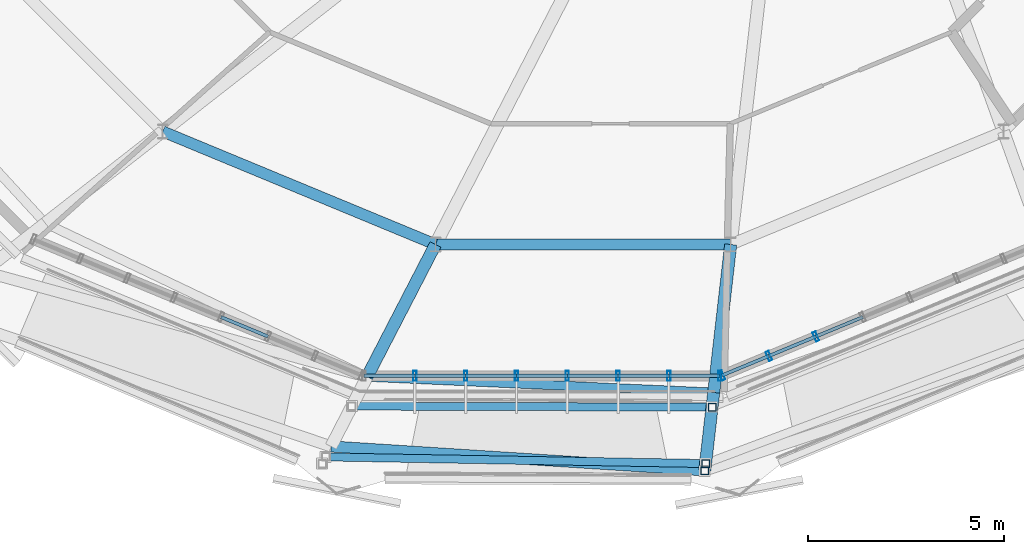
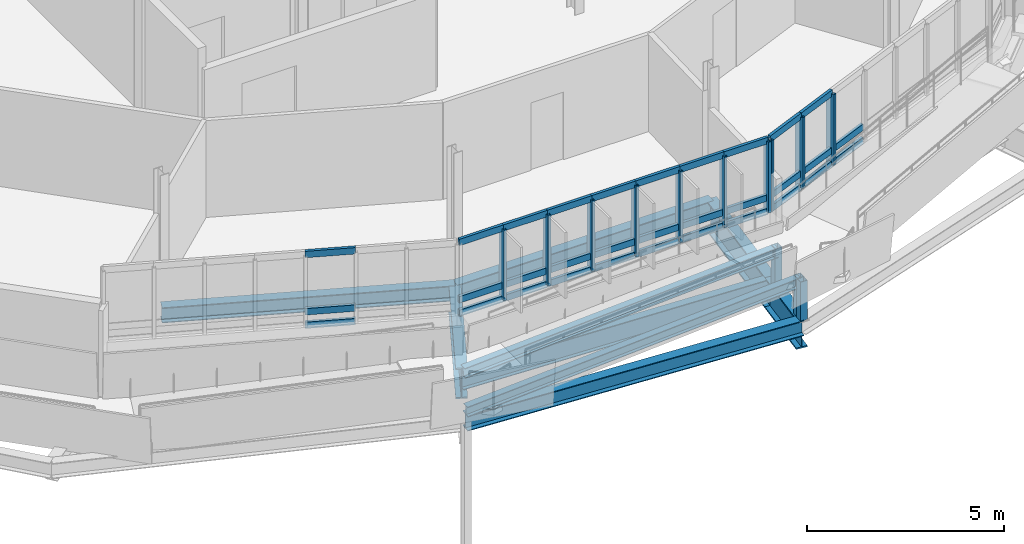
# One storey, part 5 of 38: 45 members, 9 beams, 3 elements without a shape of their own.
"""IFC4 building model written with IfcOpenShell, lengths in metres."""

from ifc_helpers import new_model, si_unit, derived_unit, direction, frame, origin, origin_2d, place, context, subcontext, project, spatial, hollow_rectangle, i_section, extrude, material, layer, layer_set, material_profile, profile_set, type_object, element, aggregate, save


model = new_model("IFC4")

# Units and contexts
model_context = context("Model", 3, precision=1e-05, world=origin(), true_north=direction((0.0, 1.0)))
body_context = subcontext(model_context, "Body", "Model", "MODEL_VIEW")
ifc_project = project(units=[si_unit("LENGTHUNIT", "METRE"), si_unit("AREAUNIT", "SQUARE_METRE"), si_unit("VOLUMEUNIT", "CUBIC_METRE"), si_unit("PLANEANGLEUNIT", "RADIAN"), si_unit("MASSUNIT", "GRAM", prefix="KILO"), derived_unit("THERMALTRANSMITTANCEUNIT", [(si_unit("MASSUNIT", "GRAM", prefix="KILO"), 1), (si_unit("TIMEUNIT", "SECOND"), -3), (si_unit("THERMODYNAMICTEMPERATUREUNIT", "KELVIN"), -1)])], contexts=[model_context])

# Site, building, storey
site_placement = place(None, origin())
site = spatial("IfcSite", under=ifc_project, at=site_placement, CompositionType="ELEMENT")
building_placement = place(site_placement, origin())
building = spatial("IfcBuilding", under=site, at=building_placement, Name="Makaiwela Harbour Ferry Terminal", CompositionType="ELEMENT")
storey_placement = place(building_placement, frame((0.0, 0.0, 17.699951171875)))
storey = spatial("IfcBuildingStorey", under=building, at=storey_placement, Name="L04", CompositionType="ELEMENT", Elevation=17.699951171875)

# Curtain wall, members
ifc_material_1 = material(Name="Marine anodised aluminium 6063-T6", Category="aluminium")
ifc_layer = layer(ifc_material_1, 0.199951171875)
ifc_layer_set = layer_set([ifc_layer], Name="Marine anodised aluminium 6063-T6")
curtain_wall_type = type_object("IfcCurtainWallType", Name="ENV-CW-06", PredefinedType="USERDEFINED", material=ifc_layer_set)
curtain_wall_1_placement = place(storey_placement, origin())
curtain_wall_1 = element("IfcCurtainWall", 1, at=curtain_wall_1_placement, inside=storey, type_object=curtain_wall_type, Name="Unitised Curtain Wall CWA-053", ObjectType="UNITIZED CURTAIN WALL", PredefinedType="USERDEFINED")
ifc_material_profile_1 = material_profile(ifc_material_1, hollow_rectangle(XDim=0.0849609375, YDim=0.25, WallThickness=0.0048828125, at=origin_2d()), Name="CWM-250X85")
ifc_profile_set_1 = profile_set([ifc_material_profile_1], Name="Marine anodised aluminium 6063-T6")
member_type_1 = type_object("IfcMemberType", Name="CW-MUL-250", PredefinedType="MULLION", material=ifc_profile_set_1)
member_1_placement = place(storey_placement, frame((32.810546875, 45.819580078125, 1.47998046875), z_axis=(0.0, 0.0, 1.0), x_axis=(1.0, 0.0, 0.0)))
member_1 = element("IfcMember", 2, at=member_1_placement, type_object=member_type_1, Name="Curtain Wall Mullion CWA-053-2", PredefinedType="MULLION", context=body_context, shape_type="SweptSolid", body=[
    extrude(hollow_rectangle(XDim=0.0849609375, YDim=0.25, WallThickness=0.0048828125, at=origin_2d()), origin(), (0.0, 0.0, 1.0), 2.199951171875),
])
member_2_placement = place(storey_placement, frame((34.1064453125, 45.819580078125, 1.47998046875), z_axis=(0.0, 0.0, 1.0), x_axis=(1.0, 0.0, 0.0)))
member_2 = element("IfcMember", 3, at=member_2_placement, type_object=member_type_1, Name="Curtain Wall Mullion CWA-053-3", PredefinedType="MULLION", context=body_context, shape_type="SweptSolid", body=[
    extrude(hollow_rectangle(XDim=0.0849609375, YDim=0.25, WallThickness=0.0048828125, at=origin_2d()), origin(), (0.0, 0.0, 1.0), 2.199951171875),
])
member_3_placement = place(storey_placement, frame((35.402099609375, 45.819580078125, 1.47998046875), z_axis=(0.0, 0.0, 1.0), x_axis=(1.0, 0.0, 0.0)))
member_3 = element("IfcMember", 4, at=member_3_placement, type_object=member_type_1, Name="Curtain Wall Mullion CWA-053-4", PredefinedType="MULLION", context=body_context, shape_type="SweptSolid", body=[
    extrude(hollow_rectangle(XDim=0.0849609375, YDim=0.25, WallThickness=0.0048828125, at=origin_2d()), origin(), (0.0, 0.0, 1.0), 2.199951171875),
])
member_4_placement = place(storey_placement, frame((36.697998046875, 45.819580078125, 1.47998046875), z_axis=(0.0, 0.0, 1.0), x_axis=(1.0, 0.0, 0.0)))
member_4 = element("IfcMember", 5, at=member_4_placement, type_object=member_type_1, Name="Curtain Wall Mullion CWA-053-5", PredefinedType="MULLION", context=body_context, shape_type="SweptSolid", body=[
    extrude(hollow_rectangle(XDim=0.0849609375, YDim=0.25, WallThickness=0.0048828125, at=origin_2d()), origin(), (0.0, 0.0, 1.0), 2.199951171875),
])
member_5_placement = place(storey_placement, frame((37.99365234375, 45.819580078125, 1.47998046875), z_axis=(0.0, 0.0, 1.0), x_axis=(1.0, 0.0, 0.0)))
member_5 = element("IfcMember", 6, at=member_5_placement, type_object=member_type_1, Name="Curtain Wall Mullion CWA-053-6", PredefinedType="MULLION", context=body_context, shape_type="SweptSolid", body=[
    extrude(hollow_rectangle(XDim=0.0849609375, YDim=0.25, WallThickness=0.0048828125, at=origin_2d()), origin(), (0.0, 0.0, 1.0), 2.199951171875),
])
member_6_placement = place(storey_placement, frame((39.289306640625, 45.819580078125, 1.47998046875), z_axis=(0.0, 0.0, 1.0), x_axis=(1.0, 0.0, 0.0)))
member_6 = element("IfcMember", 7, at=member_6_placement, type_object=member_type_1, Name="Curtain Wall Mullion CWA-053-7", PredefinedType="MULLION", context=body_context, shape_type="SweptSolid", body=[
    extrude(hollow_rectangle(XDim=0.0849609375, YDim=0.25, WallThickness=0.0048828125, at=origin_2d()), origin(), (0.0, 0.0, 1.0), 2.199951171875),
])
member_7_placement = place(storey_placement, frame((40.585205078125, 45.819580078125, 1.47998046875), z_axis=(0.0, 0.0, 1.0), x_axis=(1.0, 0.0, 0.0)))
member_7 = element("IfcMember", 8, at=member_7_placement, type_object=member_type_1, Name="Curtain Wall Mullion CWA-053-8", PredefinedType="MULLION", context=body_context, shape_type="SweptSolid", body=[
    extrude(hollow_rectangle(XDim=0.0849609375, YDim=0.25, WallThickness=0.0048828125, at=origin_2d()), origin(), (0.0, 0.0, 1.0), 2.199951171875),
])

curtain_wall_2_placement = place(storey_placement, origin())
curtain_wall_2 = element("IfcCurtainWall", 9, at=curtain_wall_2_placement, inside=storey, type_object=curtain_wall_type, Name="Unitised Curtain Wall CWA-054", ObjectType="UNITIZED CURTAIN WALL", PredefinedType="USERDEFINED")
member_8_placement = place(storey_placement, frame((40.642822265625, 45.8310546875, 1.47998046875), z_axis=(0.0, 0.0, 1.0), x_axis=(0.923879532511, 0.382683432365, 0.0)))
member_8 = element("IfcMember", 10, at=member_8_placement, type_object=member_type_1, Name="Curtain Wall Mullion CWA-054-1", PredefinedType="MULLION", context=body_context, shape_type="SweptSolid", body=[
    extrude(hollow_rectangle(XDim=0.0849609375, YDim=0.25, WallThickness=0.0048828125, at=origin_2d()), origin(), (0.0, 0.0, 1.0), 2.199951171875),
])
member_9_placement = place(storey_placement, frame((41.83984375, 46.326904296875, 1.47998046875), z_axis=(0.0, 0.0, 1.0), x_axis=(0.923879532511, 0.382683432365, 0.0)))
member_9 = element("IfcMember", 11, at=member_9_placement, type_object=member_type_1, Name="Curtain Wall Mullion CWA-054-2", PredefinedType="MULLION", context=body_context, shape_type="SweptSolid", body=[
    extrude(hollow_rectangle(XDim=0.0849609375, YDim=0.25, WallThickness=0.0048828125, at=origin_2d()), origin(), (0.0, 0.0, 1.0), 2.199951171875),
])
member_10_placement = place(storey_placement, frame((43.037109375, 46.82275390625, 1.47998046875), z_axis=(0.0, 0.0, 1.0), x_axis=(0.923879532511, 0.382683432365, 0.0)))
member_10 = element("IfcMember", 12, at=member_10_placement, type_object=member_type_1, Name="Curtain Wall Mullion CWA-054-3", PredefinedType="MULLION", context=body_context, shape_type="SweptSolid", body=[
    extrude(hollow_rectangle(XDim=0.0849609375, YDim=0.25, WallThickness=0.0048828125, at=origin_2d()), origin(), (0.0, 0.0, 1.0), 2.199951171875),
])

curtain_wall_3_placement = place(storey_placement, origin())
curtain_wall_3 = element("IfcCurtainWall", 13, at=curtain_wall_3_placement, inside=storey, type_object=curtain_wall_type, Name="Unitised Curtain Wall CWA-052", ObjectType="UNITIZED CURTAIN WALL", PredefinedType="USERDEFINED")
ifc_material_profile_2 = material_profile(ifc_material_1, hollow_rectangle(XDim=0.0849609375, YDim=0.199951171875, WallThickness=0.0048828125, at=origin_2d()), Name="CWT-200X85")
ifc_profile_set_2 = profile_set([ifc_material_profile_2], Name="Marine anodised aluminium 6063-T6")
member_type_2 = type_object("IfcMemberType", Name="CW-TRN-200", PredefinedType="USERDEFINED", material=ifc_profile_set_2)
member_11_placement = place(storey_placement, frame((27.865966796875, 47.318603515625, 1.47998046875), z_axis=(0.92387214393, -0.382701269492, 0.0), x_axis=(0.382701269492, 0.92387214393, 0.0)))
member_11 = element("IfcMember", 14, at=member_11_placement, type_object=member_type_2, Name="Curtain Wall Transom CWA-052-5-1", ObjectType="TRANSOM", PredefinedType="USERDEFINED", context=body_context, shape_type="SweptSolid", body=[
    extrude(hollow_rectangle(XDim=0.0849609375, YDim=0.199951171875, WallThickness=0.0048828125, at=origin_2d()), origin(), (0.0, 0.0, 1.0), 1.295654296875),
])
member_12_placement = place(storey_placement, frame((27.865966796875, 47.318603515625, 1.900146484375), z_axis=(0.92387214393, -0.382701269492, 0.0), x_axis=(0.382701269492, 0.92387214393, 0.0)))
member_12 = element("IfcMember", 15, at=member_12_placement, type_object=member_type_2, Name="Curtain Wall Transom CWA-052-5-2", ObjectType="TRANSOM", PredefinedType="USERDEFINED", context=body_context, shape_type="SweptSolid", body=[
    extrude(hollow_rectangle(XDim=0.0849609375, YDim=0.199951171875, WallThickness=0.0048828125, at=origin_2d()), origin(), (0.0, 0.0, 1.0), 1.295654296875),
])
member_13_placement = place(storey_placement, frame((27.865966796875, 47.318603515625, 3.679931640625), z_axis=(0.92387214393, -0.382701269492, 0.0), x_axis=(0.382701269492, 0.92387214393, 0.0)))
member_13 = element("IfcMember", 16, at=member_13_placement, type_object=member_type_2, Name="Curtain Wall Transom CWA-052-5-3", ObjectType="TRANSOM", PredefinedType="USERDEFINED", context=body_context, shape_type="SweptSolid", body=[
    extrude(hollow_rectangle(XDim=0.0849609375, YDim=0.199951171875, WallThickness=0.0048828125, at=origin_2d()), origin(), (0.0, 0.0, 1.0), 1.295654296875),
])
aggregate(curtain_wall_3, [member_11, member_12, member_13])

# Member
member_14_placement = place(storey_placement, frame((31.514892578125, 45.819580078125, 1.47998046875), z_axis=(1.0, 0.0, 0.0), x_axis=(0.0, 1.0, 0.0)))
member_14 = element("IfcMember", 17, at=member_14_placement, type_object=member_type_2, Name="Curtain Wall Transom CWA-053-1-1", ObjectType="TRANSOM", PredefinedType="USERDEFINED", context=body_context, shape_type="SweptSolid", body=[
    extrude(hollow_rectangle(XDim=0.0849609375, YDim=0.199951171875, WallThickness=0.0048828125, at=origin_2d()), origin(), (0.0, 0.0, 1.0), 1.295654296875),
])

member_15_placement = place(storey_placement, frame((31.514892578125, 45.819580078125, 1.900146484375), z_axis=(1.0, 0.0, 0.0), x_axis=(0.0, 1.0, 0.0)))
member_15 = element("IfcMember", 18, at=member_15_placement, type_object=member_type_2, Name="Curtain Wall Transom CWA-053-1-2", ObjectType="TRANSOM", PredefinedType="USERDEFINED", context=body_context, shape_type="SweptSolid", body=[
    extrude(hollow_rectangle(XDim=0.0849609375, YDim=0.199951171875, WallThickness=0.0048828125, at=origin_2d()), origin(), (0.0, 0.0, 1.0), 1.295654296875),
])

member_16_placement = place(storey_placement, frame((31.514892578125, 45.819580078125, 3.679931640625), z_axis=(1.0, 0.0, 0.0), x_axis=(0.0, 1.0, 0.0)))
member_16 = element("IfcMember", 19, at=member_16_placement, type_object=member_type_2, Name="Curtain Wall Transom CWA-053-1-3", ObjectType="TRANSOM", PredefinedType="USERDEFINED", context=body_context, shape_type="SweptSolid", body=[
    extrude(hollow_rectangle(XDim=0.0849609375, YDim=0.199951171875, WallThickness=0.0048828125, at=origin_2d()), origin(), (0.0, 0.0, 1.0), 1.295654296875),
])

member_17_placement = place(storey_placement, frame((32.810546875, 45.819580078125, 1.47998046875), z_axis=(1.0, 0.0, 0.0), x_axis=(0.0, 1.0, 0.0)))
member_17 = element("IfcMember", 20, at=member_17_placement, type_object=member_type_2, Name="Curtain Wall Transom CWA-053-2-1", ObjectType="TRANSOM", PredefinedType="USERDEFINED", context=body_context, shape_type="SweptSolid", body=[
    extrude(hollow_rectangle(XDim=0.0849609375, YDim=0.199951171875, WallThickness=0.0048828125, at=origin_2d()), origin(), (0.0, 0.0, 1.0), 1.2958984375),
])

member_18_placement = place(storey_placement, frame((32.810546875, 45.819580078125, 1.900146484375), z_axis=(1.0, 0.0, 0.0), x_axis=(0.0, 1.0, 0.0)))
member_18 = element("IfcMember", 21, at=member_18_placement, type_object=member_type_2, Name="Curtain Wall Transom CWA-053-2-2", ObjectType="TRANSOM", PredefinedType="USERDEFINED", context=body_context, shape_type="SweptSolid", body=[
    extrude(hollow_rectangle(XDim=0.0849609375, YDim=0.199951171875, WallThickness=0.0048828125, at=origin_2d()), origin(), (0.0, 0.0, 1.0), 1.2958984375),
])

member_19_placement = place(storey_placement, frame((32.810546875, 45.819580078125, 3.679931640625), z_axis=(1.0, 0.0, 0.0), x_axis=(0.0, 1.0, 0.0)))
member_19 = element("IfcMember", 22, at=member_19_placement, type_object=member_type_2, Name="Curtain Wall Transom CWA-053-2-3", ObjectType="TRANSOM", PredefinedType="USERDEFINED", context=body_context, shape_type="SweptSolid", body=[
    extrude(hollow_rectangle(XDim=0.0849609375, YDim=0.199951171875, WallThickness=0.0048828125, at=origin_2d()), origin(), (0.0, 0.0, 1.0), 1.2958984375),
])

member_20_placement = place(storey_placement, frame((34.1064453125, 45.819580078125, 1.47998046875), z_axis=(1.0, 0.0, 0.0), x_axis=(0.0, 1.0, 0.0)))
member_20 = element("IfcMember", 23, at=member_20_placement, type_object=member_type_2, Name="Curtain Wall Transom CWA-053-3-1", ObjectType="TRANSOM", PredefinedType="USERDEFINED", context=body_context, shape_type="SweptSolid", body=[
    extrude(hollow_rectangle(XDim=0.0849609375, YDim=0.199951171875, WallThickness=0.0048828125, at=origin_2d()), origin(), (0.0, 0.0, 1.0), 1.295654296875),
])

member_21_placement = place(storey_placement, frame((34.1064453125, 45.819580078125, 1.900146484375), z_axis=(1.0, 0.0, 0.0), x_axis=(0.0, 1.0, 0.0)))
member_21 = element("IfcMember", 24, at=member_21_placement, type_object=member_type_2, Name="Curtain Wall Transom CWA-053-3-2", ObjectType="TRANSOM", PredefinedType="USERDEFINED", context=body_context, shape_type="SweptSolid", body=[
    extrude(hollow_rectangle(XDim=0.0849609375, YDim=0.199951171875, WallThickness=0.0048828125, at=origin_2d()), origin(), (0.0, 0.0, 1.0), 1.295654296875),
])

member_22_placement = place(storey_placement, frame((34.1064453125, 45.819580078125, 3.679931640625), z_axis=(1.0, 0.0, 0.0), x_axis=(0.0, 1.0, 0.0)))
member_22 = element("IfcMember", 25, at=member_22_placement, type_object=member_type_2, Name="Curtain Wall Transom CWA-053-3-3", ObjectType="TRANSOM", PredefinedType="USERDEFINED", context=body_context, shape_type="SweptSolid", body=[
    extrude(hollow_rectangle(XDim=0.0849609375, YDim=0.199951171875, WallThickness=0.0048828125, at=origin_2d()), origin(), (0.0, 0.0, 1.0), 1.295654296875),
])

member_23_placement = place(storey_placement, frame((35.402099609375, 45.819580078125, 1.47998046875), z_axis=(1.0, 0.0, 0.0), x_axis=(0.0, 1.0, 0.0)))
member_23 = element("IfcMember", 26, at=member_23_placement, type_object=member_type_2, Name="Curtain Wall Transom CWA-053-4-1", ObjectType="TRANSOM", PredefinedType="USERDEFINED", context=body_context, shape_type="SweptSolid", body=[
    extrude(hollow_rectangle(XDim=0.0849609375, YDim=0.199951171875, WallThickness=0.0048828125, at=origin_2d()), origin(), (0.0, 0.0, 1.0), 1.2958984375),
])

member_24_placement = place(storey_placement, frame((35.402099609375, 45.819580078125, 1.900146484375), z_axis=(1.0, 0.0, 0.0), x_axis=(0.0, 1.0, 0.0)))
member_24 = element("IfcMember", 27, at=member_24_placement, type_object=member_type_2, Name="Curtain Wall Transom CWA-053-4-2", ObjectType="TRANSOM", PredefinedType="USERDEFINED", context=body_context, shape_type="SweptSolid", body=[
    extrude(hollow_rectangle(XDim=0.0849609375, YDim=0.199951171875, WallThickness=0.0048828125, at=origin_2d()), origin(), (0.0, 0.0, 1.0), 1.2958984375),
])

member_25_placement = place(storey_placement, frame((35.402099609375, 45.819580078125, 3.679931640625), z_axis=(1.0, 0.0, 0.0), x_axis=(0.0, 1.0, 0.0)))
member_25 = element("IfcMember", 28, at=member_25_placement, type_object=member_type_2, Name="Curtain Wall Transom CWA-053-4-3", ObjectType="TRANSOM", PredefinedType="USERDEFINED", context=body_context, shape_type="SweptSolid", body=[
    extrude(hollow_rectangle(XDim=0.0849609375, YDim=0.199951171875, WallThickness=0.0048828125, at=origin_2d()), origin(), (0.0, 0.0, 1.0), 1.2958984375),
])

member_26_placement = place(storey_placement, frame((36.697998046875, 45.819580078125, 1.47998046875), z_axis=(1.0, 0.0, 0.0), x_axis=(0.0, 1.0, 0.0)))
member_26 = element("IfcMember", 29, at=member_26_placement, type_object=member_type_2, Name="Curtain Wall Transom CWA-053-5-1", ObjectType="TRANSOM", PredefinedType="USERDEFINED", context=body_context, shape_type="SweptSolid", body=[
    extrude(hollow_rectangle(XDim=0.0849609375, YDim=0.199951171875, WallThickness=0.0048828125, at=origin_2d()), origin(), (0.0, 0.0, 1.0), 1.295654296875),
])

member_27_placement = place(storey_placement, frame((36.697998046875, 45.819580078125, 1.900146484375), z_axis=(1.0, 0.0, 0.0), x_axis=(0.0, 1.0, 0.0)))
member_27 = element("IfcMember", 30, at=member_27_placement, type_object=member_type_2, Name="Curtain Wall Transom CWA-053-5-2", ObjectType="TRANSOM", PredefinedType="USERDEFINED", context=body_context, shape_type="SweptSolid", body=[
    extrude(hollow_rectangle(XDim=0.0849609375, YDim=0.199951171875, WallThickness=0.0048828125, at=origin_2d()), origin(), (0.0, 0.0, 1.0), 1.295654296875),
])

member_28_placement = place(storey_placement, frame((36.697998046875, 45.819580078125, 3.679931640625), z_axis=(1.0, 0.0, 0.0), x_axis=(0.0, 1.0, 0.0)))
member_28 = element("IfcMember", 31, at=member_28_placement, type_object=member_type_2, Name="Curtain Wall Transom CWA-053-5-3", ObjectType="TRANSOM", PredefinedType="USERDEFINED", context=body_context, shape_type="SweptSolid", body=[
    extrude(hollow_rectangle(XDim=0.0849609375, YDim=0.199951171875, WallThickness=0.0048828125, at=origin_2d()), origin(), (0.0, 0.0, 1.0), 1.295654296875),
])

member_29_placement = place(storey_placement, frame((37.99365234375, 45.819580078125, 1.47998046875), z_axis=(1.0, 0.0, 0.0), x_axis=(0.0, 1.0, 0.0)))
member_29 = element("IfcMember", 32, at=member_29_placement, type_object=member_type_2, Name="Curtain Wall Transom CWA-053-6-1", ObjectType="TRANSOM", PredefinedType="USERDEFINED", context=body_context, shape_type="SweptSolid", body=[
    extrude(hollow_rectangle(XDim=0.0849609375, YDim=0.199951171875, WallThickness=0.0048828125, at=origin_2d()), origin(), (0.0, 0.0, 1.0), 1.295654296875),
])

member_30_placement = place(storey_placement, frame((37.99365234375, 45.819580078125, 1.900146484375), z_axis=(1.0, 0.0, 0.0), x_axis=(0.0, 1.0, 0.0)))
member_30 = element("IfcMember", 33, at=member_30_placement, type_object=member_type_2, Name="Curtain Wall Transom CWA-053-6-2", ObjectType="TRANSOM", PredefinedType="USERDEFINED", context=body_context, shape_type="SweptSolid", body=[
    extrude(hollow_rectangle(XDim=0.0849609375, YDim=0.199951171875, WallThickness=0.0048828125, at=origin_2d()), origin(), (0.0, 0.0, 1.0), 1.295654296875),
])

member_31_placement = place(storey_placement, frame((37.99365234375, 45.819580078125, 3.679931640625), z_axis=(1.0, 0.0, 0.0), x_axis=(0.0, 1.0, 0.0)))
member_31 = element("IfcMember", 34, at=member_31_placement, type_object=member_type_2, Name="Curtain Wall Transom CWA-053-6-3", ObjectType="TRANSOM", PredefinedType="USERDEFINED", context=body_context, shape_type="SweptSolid", body=[
    extrude(hollow_rectangle(XDim=0.0849609375, YDim=0.199951171875, WallThickness=0.0048828125, at=origin_2d()), origin(), (0.0, 0.0, 1.0), 1.295654296875),
])

member_32_placement = place(storey_placement, frame((39.289306640625, 45.819580078125, 1.47998046875), z_axis=(1.0, 0.0, 0.0), x_axis=(0.0, 1.0, 0.0)))
member_32 = element("IfcMember", 35, at=member_32_placement, type_object=member_type_2, Name="Curtain Wall Transom CWA-053-7-1", ObjectType="TRANSOM", PredefinedType="USERDEFINED", context=body_context, shape_type="SweptSolid", body=[
    extrude(hollow_rectangle(XDim=0.0849609375, YDim=0.199951171875, WallThickness=0.0048828125, at=origin_2d()), origin(), (0.0, 0.0, 1.0), 1.2958984375),
])

member_33_placement = place(storey_placement, frame((39.289306640625, 45.819580078125, 1.900146484375), z_axis=(1.0, 0.0, 0.0), x_axis=(0.0, 1.0, 0.0)))
member_33 = element("IfcMember", 36, at=member_33_placement, type_object=member_type_2, Name="Curtain Wall Transom CWA-053-7-2", ObjectType="TRANSOM", PredefinedType="USERDEFINED", context=body_context, shape_type="SweptSolid", body=[
    extrude(hollow_rectangle(XDim=0.0849609375, YDim=0.199951171875, WallThickness=0.0048828125, at=origin_2d()), origin(), (0.0, 0.0, 1.0), 1.2958984375),
])

member_34_placement = place(storey_placement, frame((39.289306640625, 45.819580078125, 3.679931640625), z_axis=(1.0, 0.0, 0.0), x_axis=(0.0, 1.0, 0.0)))
member_34 = element("IfcMember", 37, at=member_34_placement, type_object=member_type_2, Name="Curtain Wall Transom CWA-053-7-3", ObjectType="TRANSOM", PredefinedType="USERDEFINED", context=body_context, shape_type="SweptSolid", body=[
    extrude(hollow_rectangle(XDim=0.0849609375, YDim=0.199951171875, WallThickness=0.0048828125, at=origin_2d()), origin(), (0.0, 0.0, 1.0), 1.2958984375),
])

aggregate(curtain_wall_1, [member_1, member_2, member_3, member_4, member_5, member_6, member_7, member_14, member_15, member_16, member_17, member_18, member_19, member_20, member_21, member_22, member_23, member_24, member_25, member_26, member_27, member_28, member_29, member_30, member_31, member_32, member_33, member_34])

member_35_placement = place(storey_placement, frame((40.642822265625, 45.8310546875, 1.47998046875), z_axis=(0.92387214393, 0.382701269492, 0.0), x_axis=(-0.382701269492, 0.92387214393, 0.0)))
member_35 = element("IfcMember", 38, at=member_35_placement, type_object=member_type_2, Name="Curtain Wall Transom CWA-054-1-1", ObjectType="TRANSOM", PredefinedType="USERDEFINED", context=body_context, shape_type="SweptSolid", body=[
    extrude(hollow_rectangle(XDim=0.0849609375, YDim=0.199951171875, WallThickness=0.0048828125, at=origin_2d()), origin(), (0.0, 0.0, 1.0), 1.295654296875),
])

member_36_placement = place(storey_placement, frame((40.642822265625, 45.8310546875, 1.900146484375), z_axis=(0.92387214393, 0.382701269492, 0.0), x_axis=(-0.382701269492, 0.92387214393, 0.0)))
member_36 = element("IfcMember", 39, at=member_36_placement, type_object=member_type_2, Name="Curtain Wall Transom CWA-054-1-2", ObjectType="TRANSOM", PredefinedType="USERDEFINED", context=body_context, shape_type="SweptSolid", body=[
    extrude(hollow_rectangle(XDim=0.0849609375, YDim=0.199951171875, WallThickness=0.0048828125, at=origin_2d()), origin(), (0.0, 0.0, 1.0), 1.295654296875),
])

member_37_placement = place(storey_placement, frame((40.642822265625, 45.8310546875, 3.679931640625), z_axis=(0.92387214393, 0.382701269492, 0.0), x_axis=(-0.382701269492, 0.92387214393, 0.0)))
member_37 = element("IfcMember", 40, at=member_37_placement, type_object=member_type_2, Name="Curtain Wall Transom CWA-054-1-3", ObjectType="TRANSOM", PredefinedType="USERDEFINED", context=body_context, shape_type="SweptSolid", body=[
    extrude(hollow_rectangle(XDim=0.0849609375, YDim=0.199951171875, WallThickness=0.0048828125, at=origin_2d()), origin(), (0.0, 0.0, 1.0), 1.295654296875),
])

member_38_placement = place(storey_placement, frame((41.83984375, 46.326904296875, 1.47998046875), z_axis=(0.923899734227, 0.382634657467, 0.0), x_axis=(-0.382634657467, 0.923899734227, 0.0)))
member_38 = element("IfcMember", 41, at=member_38_placement, type_object=member_type_2, Name="Curtain Wall Transom CWA-054-2-1", ObjectType="TRANSOM", PredefinedType="USERDEFINED", context=body_context, shape_type="SweptSolid", body=[
    extrude(hollow_rectangle(XDim=0.0849609375, YDim=0.199951171875, WallThickness=0.0048828125, at=origin_2d()), origin(), (0.0, 0.0, 1.0), 1.2958984375),
])

member_39_placement = place(storey_placement, frame((41.83984375, 46.326904296875, 1.900146484375), z_axis=(0.923899734227, 0.382634657467, 0.0), x_axis=(-0.382634657467, 0.923899734227, 0.0)))
member_39 = element("IfcMember", 42, at=member_39_placement, type_object=member_type_2, Name="Curtain Wall Transom CWA-054-2-2", ObjectType="TRANSOM", PredefinedType="USERDEFINED", context=body_context, shape_type="SweptSolid", body=[
    extrude(hollow_rectangle(XDim=0.0849609375, YDim=0.199951171875, WallThickness=0.0048828125, at=origin_2d()), origin(), (0.0, 0.0, 1.0), 1.2958984375),
])

member_40_placement = place(storey_placement, frame((41.83984375, 46.326904296875, 3.679931640625), z_axis=(0.923899734227, 0.382634657467, 0.0), x_axis=(-0.382634657467, 0.923899734227, 0.0)))
member_40 = element("IfcMember", 43, at=member_40_placement, type_object=member_type_2, Name="Curtain Wall Transom CWA-054-2-3", ObjectType="TRANSOM", PredefinedType="USERDEFINED", context=body_context, shape_type="SweptSolid", body=[
    extrude(hollow_rectangle(XDim=0.0849609375, YDim=0.199951171875, WallThickness=0.0048828125, at=origin_2d()), origin(), (0.0, 0.0, 1.0), 1.2958984375),
])

member_41_placement = place(storey_placement, frame((43.037109375, 46.82275390625, 1.47998046875), z_axis=(0.92387214393, 0.382701269492, 0.0), x_axis=(-0.382701269492, 0.92387214393, 0.0)))
member_41 = element("IfcMember", 44, at=member_41_placement, type_object=member_type_2, Name="Curtain Wall Transom CWA-054-3-1", ObjectType="TRANSOM", PredefinedType="USERDEFINED", context=body_context, shape_type="SweptSolid", body=[
    extrude(hollow_rectangle(XDim=0.0849609375, YDim=0.199951171875, WallThickness=0.0048828125, at=origin_2d()), origin(), (0.0, 0.0, 1.0), 1.295654296875),
])

member_42_placement = place(storey_placement, frame((43.037109375, 46.82275390625, 1.900146484375), z_axis=(0.92387214393, 0.382701269492, 0.0), x_axis=(-0.382701269492, 0.92387214393, 0.0)))
member_42 = element("IfcMember", 45, at=member_42_placement, type_object=member_type_2, Name="Curtain Wall Transom CWA-054-3-2", ObjectType="TRANSOM", PredefinedType="USERDEFINED", context=body_context, shape_type="SweptSolid", body=[
    extrude(hollow_rectangle(XDim=0.0849609375, YDim=0.199951171875, WallThickness=0.0048828125, at=origin_2d()), origin(), (0.0, 0.0, 1.0), 1.295654296875),
])

aggregate(curtain_wall_2, [member_8, member_9, member_10, member_35, member_36, member_37, member_38, member_39, member_40, member_41, member_42])

# Beams
ifc_material_2 = material(Name="Steel ASTM A992 Grade 50", Category="steel")
ifc_material_profile_3 = material_profile(ifc_material_2, i_section(OverallWidth=0.22900390625, OverallDepth=0.612060546875, WebThickness=0.011962890625, FlangeThickness=0.01953125, at=origin_2d()), Name="W24X84")
ifc_profile_set_3 = profile_set([ifc_material_profile_3], Name="Steel ASTM A992 Grade 50")
beam_type_1 = type_object("IfcBeamType", Name="STR-GRD-W24X84", PredefinedType="USERDEFINED", material=ifc_profile_set_3)
beam_1_placement = place(storey_placement, frame((31.589599609375, 45.79541015625, -0.56103515625), z_axis=(0.998978864761, -0.045179948658, 0.0), x_axis=(0.045179948658, 0.998978864761, 0.0)))
element("IfcBeam", 46, at=beam_1_placement, inside=storey, type_object=beam_type_1, Name="Drum overhang tie girder 475", ObjectType="GIRDER", PredefinedType="USERDEFINED", context=body_context, shape_type="SweptSolid", body=[
    extrude(i_section(OverallWidth=0.22900390625, OverallDepth=0.612060546875, WebThickness=0.011962890625, FlangeThickness=0.01953125, at=origin_2d()), origin(), (0.0, 0.0, 1.0), 8.851318359375),
])
ifc_material_profile_4 = material_profile(ifc_material_2, i_section(OverallWidth=0.31005859375, OverallDepth=0.949951171875, WebThickness=0.0244140625, FlangeThickness=0.0439453125, at=origin_2d()), Name="W36X256")
ifc_profile_set_4 = profile_set([ifc_material_profile_4], Name="Steel ASTM A992 Grade 50")
beam_type_2 = type_object("IfcBeamType", Name="STR-GRD-W36X256", PredefinedType="USERDEFINED", material=ifc_profile_set_4)
beam_2_placement = place(storey_placement, frame((33.334716796875, 49.1708984375, -0.72998046875), z_axis=(-0.459251619931, -0.888306225122, 0.0), x_axis=(0.888306225122, -0.459251619931, 0.0)))
element("IfcBeam", 47, at=beam_2_placement, inside=storey, type_object=beam_type_2, Name="Drum radial overhang 439", ObjectType="GIRDER", PredefinedType="USERDEFINED", context=body_context, shape_type="SweptSolid", body=[
    extrude(i_section(OverallWidth=0.31005859375, OverallDepth=0.949951171875, WebThickness=0.0244140625, FlangeThickness=0.0439453125, at=origin_2d()), origin(), (0.0, 0.0, 1.0), 3.7998046875),
])
beam_3_placement = place(storey_placement, frame((40.865234375, 49.1708984375, -0.72998046875), z_axis=(-0.114033976295, -0.993476850385, 0.0), x_axis=(0.993476850385, -0.114033976295, 0.0)))
element("IfcBeam", 48, at=beam_3_placement, inside=storey, type_object=beam_type_2, Name="Drum radial overhang 442", ObjectType="GIRDER", PredefinedType="USERDEFINED", context=body_context, shape_type="SweptSolid", body=[
    extrude(i_section(OverallWidth=0.31005859375, OverallDepth=0.949951171875, WebThickness=0.0244140625, FlangeThickness=0.0439453125, at=origin_2d()), origin(), (0.0, 0.0, 1.0), 3.80029296875),
])
beam_4_placement = place(storey_placement, frame((40.431884765625, 45.3955078125, -0.72998046875), z_axis=(-0.114021712091, -0.993478258027, 0.0), x_axis=(0.993478258027, -0.114021712091, 0.0)))
element("IfcBeam", 49, at=beam_4_placement, inside=storey, type_object=beam_type_2, Name="Drum overhang radial girder 443", ObjectType="GIRDER", PredefinedType="USERDEFINED", context=body_context, shape_type="SweptSolid", body=[
    extrude(i_section(OverallWidth=0.31005859375, OverallDepth=0.949951171875, WebThickness=0.0244140625, FlangeThickness=0.0439453125, at=origin_2d()), origin(), (0.0, 0.0, 1.0), 1.999755859375),
])
ifc_material_profile_5 = material_profile(ifc_material_2, i_section(OverallWidth=0.205078125, OverallDepth=0.31005859375, WebThickness=0.009521484375, FlangeThickness=0.016357421875, at=origin_2d()), Name="W12X50")
ifc_profile_set_5 = profile_set([ifc_material_profile_5], Name="Steel ASTM A992 Grade 50")
beam_type_3 = type_object("IfcBeamType", Name="STR-LNT-W12X50", PredefinedType="LINTEL", material=ifc_profile_set_5)
beam_5_placement = place(storey_placement, frame((31.20361328125, 45.049072265625, 0.22705078125), z_axis=(0.998159333212, -0.003051014627, 0.060569272991), x_axis=(0.003056626605, 0.999995328506, 0.0)))
element("IfcBeam", 50, at=beam_5_placement, inside=storey, type_object=beam_type_3, Name="Coiled Ramp Stringer L04-F2-IN", PredefinedType="LINTEL", context=body_context, shape_type="SweptSolid", body=[
    extrude(i_section(OverallWidth=0.205078125, OverallDepth=0.31005859375, WebThickness=0.009521484375, FlangeThickness=0.016357421875, at=origin_2d()), origin(), (0.0, 0.0, 1.0), 9.2021484375),
])
beam_6_placement = place(storey_placement, frame((30.533203125, 43.752197265625, 0.047607421875), z_axis=(0.996996354817, -0.017356321799, 0.075478649793), x_axis=(0.017405973765, 0.999848504563, 0.0)))
element("IfcBeam", 51, at=beam_6_placement, inside=storey, type_object=beam_type_3, Name="Coiled Ramp Stringer L04-F2-OUT", PredefinedType="LINTEL", context=body_context, shape_type="SweptSolid", body=[
    extrude(i_section(OverallWidth=0.205078125, OverallDepth=0.31005859375, WebThickness=0.009521484375, FlangeThickness=0.016357421875, at=origin_2d()), origin(), (0.0, 0.0, 1.0), 9.719970703125),
])

# Members
ifc_material_3 = material(Name="Steel ASTM A500 Grade C", Category="steel")
ifc_material_profile_6 = material_profile(ifc_material_3, hollow_rectangle(XDim=0.202880859375, YDim=0.202880859375, WallThickness=0.01171875, at=origin_2d()), Name="HSS8X8X1/2")
ifc_profile_set_6 = profile_set([ifc_material_profile_6], Name="Steel ASTM A500 Grade C")
member_type_3 = type_object("IfcMemberType", Name="STR-PST-HSS8", PredefinedType="POST", material=ifc_profile_set_6)
member_43_placement = place(storey_placement, frame((40.2021484375, 43.393798828125, -0.27490234375), z_axis=(0.0, 0.0, 1.0), x_axis=(1.0, 0.0, 0.0)))
element("IfcMember", 52, at=member_43_placement, inside=storey, type_object=member_type_3, Name="Exterior Ramp Support Post RP-0075", PredefinedType="POST", context=body_context, shape_type="SweptSolid", body=[
    extrude(hollow_rectangle(XDim=0.202880859375, YDim=0.202880859375, WallThickness=0.01171875, at=origin_2d()), origin(), (0.0, 0.0, 1.0), 1.21923828125),
])
member_44_placement = place(storey_placement, frame((40.223876953125, 43.58349609375, -0.27490234375), z_axis=(0.0, 0.0, 1.0), x_axis=(1.0, 0.0, 0.0)))
element("IfcMember", 53, at=member_44_placement, inside=storey, type_object=member_type_3, Name="Exterior Ramp Support Post RP-0076", PredefinedType="POST", context=body_context, shape_type="SweptSolid", body=[
    extrude(hollow_rectangle(XDim=0.202880859375, YDim=0.202880859375, WallThickness=0.01171875, at=origin_2d()), origin(), (0.0, 0.0, 1.0), 1.211181640625),
])
member_45_placement = place(storey_placement, frame((40.388916015625, 45.02099609375, -0.27490234375), z_axis=(0.0, 0.0, 1.0), x_axis=(1.0, 0.0, 0.0)))
element("IfcMember", 54, at=member_45_placement, inside=storey, type_object=member_type_3, Name="Exterior Ramp Support Post RP-0077", PredefinedType="POST", context=body_context, shape_type="SweptSolid", body=[
    extrude(hollow_rectangle(XDim=0.202880859375, YDim=0.202880859375, WallThickness=0.01171875, at=origin_2d()), origin(), (0.0, 0.0, 1.0), 1.21435546875),
])

# Beams
ifc_material_profile_7 = material_profile(ifc_material_2, i_section(OverallWidth=0.283935546875, OverallDepth=0.47607421875, WebThickness=0.014892578125, FlangeThickness=0.02392578125, at=origin_2d()), Name="W18X106")
ifc_profile_set_7 = profile_set([ifc_material_profile_7], Name="Steel ASTM A992 Grade 50")
beam_type_4 = type_object("IfcBeamType", Name="STR-SPN-W18X106", PredefinedType="SPANDREL", material=ifc_profile_set_7)
for number, where, z_axis, x_axis, name in (
    (55, (26.37744140625, 52.052490234375, -0.492919921875), (0.92388920519, -0.382660079618, 0.0), (0.382660079618, 0.92388920519, 0.0), "Drum column ring girder 391"),
    (56, (33.334716796875, 49.1708984375, -0.492919921875), (1.0, 0.0, 0.0), (0.0, 1.0, 0.0), "Drum column ring girder 392"),
):
    element("IfcBeam", number, at=place(storey_placement, frame(where, z_axis=z_axis, x_axis=x_axis)), inside=storey, type_object=beam_type_4, Name=name, PredefinedType="SPANDREL", context=body_context, shape_type="SweptSolid", body=[
        extrude(i_section(OverallWidth=0.283935546875, OverallDepth=0.47607421875, WebThickness=0.014892578125, FlangeThickness=0.02392578125, at=origin_2d()), origin(), (0.0, 0.0, 1.0), 7.530517578125),
    ])
beam_7_placement = place(storey_placement, frame((30.6708984375, 44.018798828125, -0.492919921875), z_axis=(0.99795828309, -0.063869125655, 0.0), x_axis=(0.063869125655, 0.99795828309, 0.0)))
element("IfcBeam", 57, at=beam_7_placement, inside=storey, type_object=beam_type_4, Name="Drum perimeter spandrel 491", PredefinedType="SPANDREL", context=body_context, shape_type="SweptSolid", body=[
    extrude(i_section(OverallWidth=0.283935546875, OverallDepth=0.47607421875, WebThickness=0.014892578125, FlangeThickness=0.02392578125, at=origin_2d()), origin(), (0.0, 0.0, 1.0), 9.552490234375),
])

save(model, "model.ifc")
